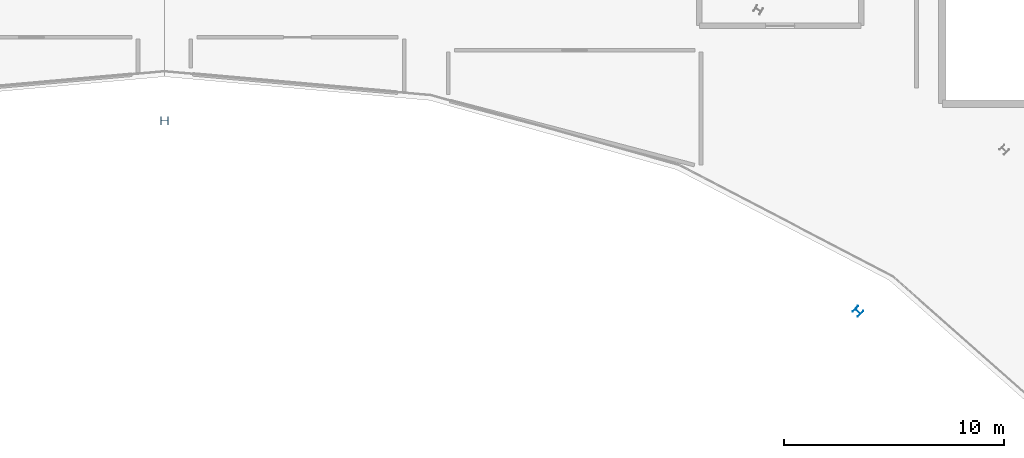
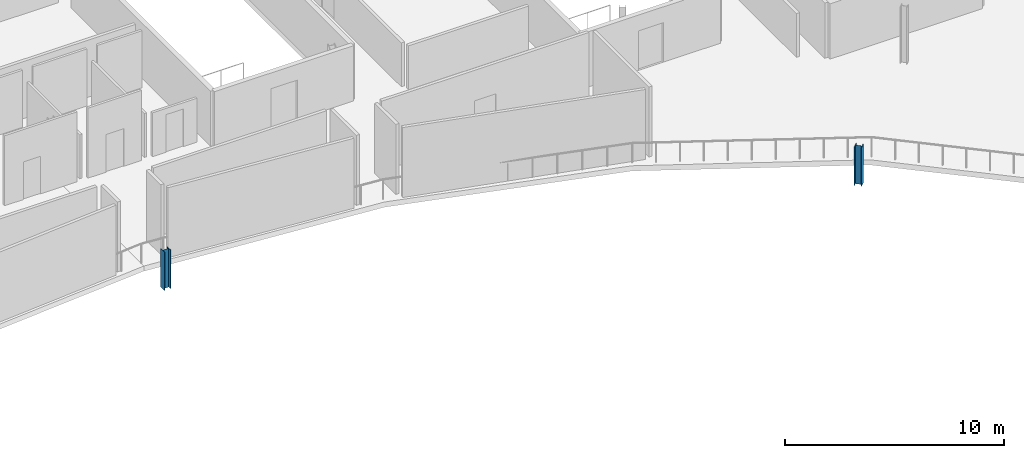
# One storey, part 9 of 35: 2 columns.
"""IFC4 building model written with IfcOpenShell, lengths in metres."""

from ifc_helpers import new_model, si_unit, direction, frame, origin, origin_2d, place, context, subcontext, project, spatial, i_section, extrude, material, material_profile, profile_set, type_object, element, save


model = new_model("IFC4")

# Units and contexts
model_context = context("Model", 3, precision=1e-05, world=origin(), true_north=direction((0.0, 1.0)))
body_context = subcontext(model_context, "Body", "Model", "MODEL_VIEW")
ifc_project = project(units=[si_unit("LENGTHUNIT", "METRE"), si_unit("AREAUNIT", "SQUARE_METRE"), si_unit("VOLUMEUNIT", "CUBIC_METRE"), si_unit("PLANEANGLEUNIT", "RADIAN"), si_unit("MASSUNIT", "GRAM", prefix="KILO")], contexts=[model_context])

# Site, building, storey
site_placement = place(None, origin())
site = spatial("IfcSite", under=ifc_project, at=site_placement, CompositionType="ELEMENT")
building_placement = place(site_placement, origin())
building = spatial("IfcBuilding", under=site, at=building_placement, Name="Kalgoora Escarpment Arena", CompositionType="ELEMENT")
storey_placement = place(building_placement, frame((0.0, 0.0, 23.39990234375)))
storey = spatial("IfcBuildingStorey", under=building, at=storey_placement, Name="L05", CompositionType="ELEMENT", Elevation=23.39990234375)

# Columns
ifc_material = material(Name="Structural steel Grade 350 (350 MPa)", Category="steel")
ifc_material_profile = material_profile(ifc_material, i_section(OverallWidth=0.35009765625, OverallDepth=0.35009765625, WebThickness=0.013916015625, FlangeThickness=0.02392578125, at=origin_2d()))
ifc_profile_set = profile_set([ifc_material_profile], Name="Structural steel Grade 350 (350 MPa)")
column_type = type_object("IfcColumnType", Name="COL-COL-350WC197", PredefinedType="COLUMN", material=ifc_profile_set)
for number, where, z_axis, x_axis, name in (
    (1, (123.93701171875, 84.930419921875, 0.0), (0.0, 0.0, 1.0), (0.707106781187, 0.707106781187, 0.0), "L05 structural column COL-TSPINE-S02"),
    (2, (92.39990234375, 93.60009765625, 0.0), (0.0, 0.0, 1.0), (0.0, 1.0, 0.0), "L05 structural column COL-TSPINE-S03"),
):
    element("IfcColumn", number, at=place(storey_placement, frame(where, z_axis=z_axis, x_axis=x_axis)), inside=storey, type_object=column_type, Name=name, PredefinedType="COLUMN", context=body_context, shape_type="SweptSolid", body=[
        extrude(i_section(OverallWidth=0.35009765625, OverallDepth=0.35009765625, WebThickness=0.013916015625, FlangeThickness=0.02392578125, at=origin_2d()), origin(), (0.0, 0.0, 1.0), 2.150146484375),
    ])

save(model, "model.ifc")
